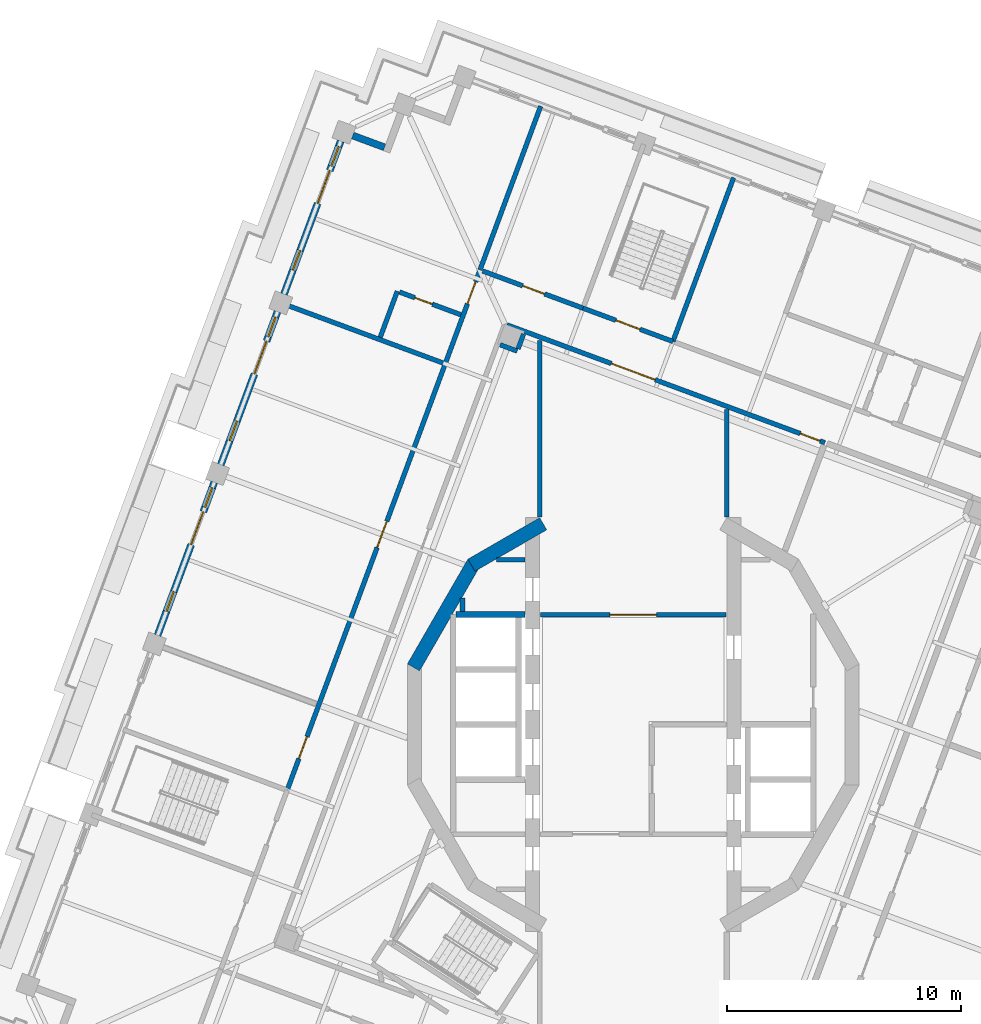
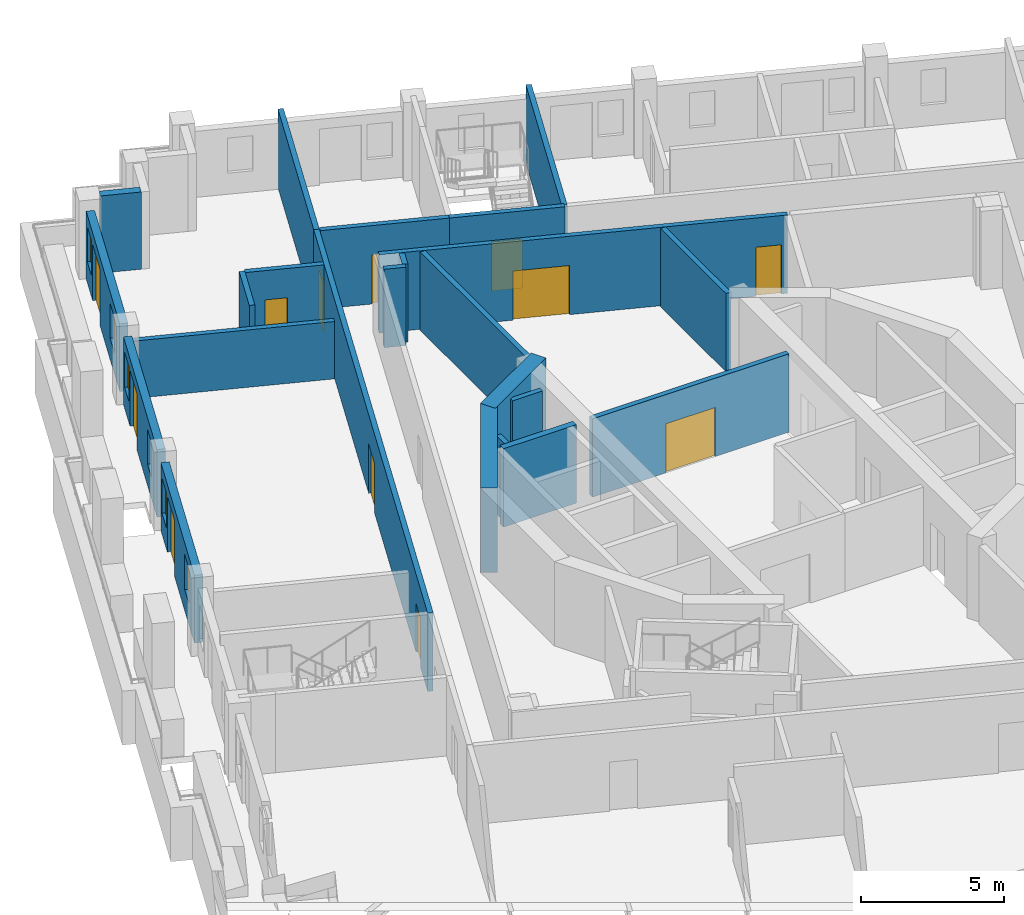
# One storey, part 7 of 18: 23 walls, 12 doors, 6 windows, 18 openings.
"""IFC4 building model written with IfcOpenShell, lengths in metres."""

from ifc_helpers import new_model, si_unit, direction, frame, frame_2d, origin, place, context, subcontext, project, spatial, rectangle, extrude, material, layer, layer_set, type_object, element, fill, save


model = new_model("IFC4")

# Units and contexts
model_context = context("Model", 3, precision=1e-05, world=origin(), true_north=direction((0.0, 1.0)))
body_context = subcontext(model_context, "Body", "Model", "MODEL_VIEW")
ifc_project = project(units=[si_unit("LENGTHUNIT", "METRE"), si_unit("AREAUNIT", "SQUARE_METRE"), si_unit("VOLUMEUNIT", "CUBIC_METRE"), si_unit("PLANEANGLEUNIT", "RADIAN"), si_unit("MASSUNIT", "GRAM", prefix="KILO")], contexts=[model_context])

# Site, building, storey
site_placement = place(None, origin())
site = spatial("IfcSite", under=ifc_project, at=site_placement, CompositionType="ELEMENT")
building_placement = place(site_placement, origin())
building = spatial("IfcBuilding", under=site, at=building_placement, Name="Cantera Rosa Tower", CompositionType="ELEMENT")
storey_placement = place(building_placement, frame((0.0, 0.0, 338.5)))
storey = spatial("IfcBuildingStorey", under=building, at=storey_placement, Name="L76", CompositionType="ELEMENT", Elevation=338.5)

# Wall, openings, doors
ifc_material_1 = material(Name="Gypsum board partition")
ifc_layer_1 = layer(ifc_material_1, 0.199951171875)
ifc_layer_set_1 = layer_set([ifc_layer_1], Name="CORRIDOR WALL 200 H3350")
wall_type_1 = type_object("IfcWallType", Name="CORRIDOR WALL 200 H3350", PredefinedType="PARTITIONING", material=ifc_layer_set_1)
wall_1_placement = place(storey_placement, frame((-6.5537109375, 19.438720703125, 0.0), z_axis=(0.0, 0.0, 1.0), x_axis=(-0.347483565428, -0.937686073138, 0.0)))
wall_1 = element("IfcWall", 1, at=wall_1_placement, inside=storey, type_object=wall_type_1, Name="CORRIDOR WALL L76-031", PredefinedType="PARTITIONING", context=body_context, shape_type="SweptSolid", body=[
    extrude(rectangle(XDim=23.730224609375, YDim=0.199951171875, at=frame_2d((11.865234375, 0.0))), origin(), (0.0, 0.0, 1.0), 3.35009765625),
])
opening_1_placement = place(wall_1_placement, frame((11.4599609375, 0.0, 0.0)))
opening_1 = element("IfcOpeningElement", 2, at=opening_1_placement, cuts=wall_1, Name="Opening L76-026", PredefinedType="OPENING", context=body_context, shape_type="SweptSolid", body=[
    extrude(rectangle(XDim=1.199951171875, YDim=2.10009765625, at=frame_2d((0.60009765625, 1.050048828125))), frame((0.0, 0.10986328125, 0.0), z_axis=(0.0, -1.0, 0.0), x_axis=(1.0, 0.0, 0.0)), (0.0, 0.0, 1.0), 0.219970703125),
])
opening_2_placement = place(wall_1_placement, frame((21.284912109375, 0.0, 0.0)))
opening_2 = element("IfcOpeningElement", 3, at=opening_2_placement, cuts=wall_1, Name="Opening L76-027", PredefinedType="OPENING", context=body_context, shape_type="SweptSolid", body=[
    extrude(rectangle(XDim=1.0, YDim=2.10009765625, at=frame_2d((0.5, 1.050048828125))), frame((0.0, 0.10986328125, 0.0), z_axis=(0.0, -1.0, 0.0), x_axis=(1.0, 0.0, 0.0)), (0.0, 0.0, 1.0), 0.219970703125),
])
opening_3_placement = place(wall_1_placement, frame((0.5400390625, 0.0, 0.0)))
opening_3 = element("IfcOpeningElement", 4, at=opening_3_placement, cuts=wall_1, Name="Opening L76-028", PredefinedType="OPENING", context=body_context, shape_type="SweptSolid", body=[
    extrude(rectangle(XDim=1.0, YDim=2.10009765625, at=frame_2d((0.5, 1.050048828125))), frame((0.0, 0.10986328125, 0.0), z_axis=(0.0, -1.0, 0.0), x_axis=(1.0, 0.0, 0.0)), (0.0, 0.0, 1.0), 0.219970703125),
])
ifc_material_2 = material(Name="Timber door leaf", Category="wood")
door_type_1 = type_object("IfcDoorType", Name="ENTRANCE DOOR 1000x2100", OperationType="NOTDEFINED", PredefinedType="DOOR", material=ifc_material_2)
door_1_placement = place(opening_3_placement, origin())
door_1 = element("IfcDoor", 5, at=door_1_placement, inside=storey, type_object=door_type_1, Name="DOOR L76-028", OperationType="NOTDEFINED", OverallHeight=2.10009765625, OverallWidth=1.0, PredefinedType="DOOR", context=body_context, shape_type="SweptSolid", body=[
    extrude(rectangle(XDim=1.0, YDim=2.10009765625, at=frame_2d((0.5, 1.050048828125))), frame((0.0, 0.02490234375, 0.0), z_axis=(0.0, -1.0, 0.0), x_axis=(1.0, 0.0, 0.0)), (0.0, 0.0, 1.0), 0.050048828125),
])
fill(opening_3, door_1)
ifc_material_3 = material(Name="Timber door leaf", Category="wood")
door_type_2 = type_object("IfcDoorType", Name="ROOM DOOR 1000x2100", OperationType="NOTDEFINED", PredefinedType="DOOR", material=ifc_material_3)
door_2_placement = place(opening_2_placement, origin())
door_2 = element("IfcDoor", 6, at=door_2_placement, inside=storey, type_object=door_type_2, Name="DOOR L76-027", OperationType="NOTDEFINED", OverallHeight=2.10009765625, OverallWidth=1.0, PredefinedType="DOOR", context=body_context, shape_type="SweptSolid", body=[
    extrude(rectangle(XDim=1.0, YDim=2.10009765625, at=frame_2d((0.5, 1.050048828125))), frame((0.0, 0.02490234375, 0.0), z_axis=(0.0, -1.0, 0.0), x_axis=(1.0, 0.0, 0.0)), (0.0, 0.0, 1.0), 0.050048828125),
])
fill(opening_2, door_2)
ifc_material_4 = material(Name="Timber door leaf", Category="wood")
door_type_3 = type_object("IfcDoorType", Name="ROOM DOOR 1200x2100", OperationType="NOTDEFINED", PredefinedType="DOOR", material=ifc_material_4)
door_3_placement = place(opening_1_placement, origin())
door_3 = element("IfcDoor", 7, at=door_3_placement, inside=storey, type_object=door_type_3, Name="DOOR L76-026", OperationType="NOTDEFINED", OverallHeight=2.10009765625, OverallWidth=1.199951171875, PredefinedType="DOOR", context=body_context, shape_type="SweptSolid", body=[
    extrude(rectangle(XDim=1.199951171875, YDim=2.10009765625, at=frame_2d((0.60009765625, 1.050048828125))), frame((0.0, 0.02490234375, 0.0), z_axis=(0.0, -1.0, 0.0), x_axis=(1.0, 0.0, 0.0)), (0.0, 0.0, 1.0), 0.050048828125),
])
fill(opening_1, door_3)

# Wall
wall_2_placement = place(storey_placement, frame((-4.0, 16.4326171875, 0.0), z_axis=(0.0, 0.0, 1.0), x_axis=(0.0, -1.0, 0.0)))
element("IfcWall", 8, at=wall_2_placement, inside=storey, type_object=wall_type_1, Name="CORRIDOR WALL L76-046", PredefinedType="PARTITIONING", context=body_context, shape_type="SweptSolid", body=[
    extrude(rectangle(XDim=7.5537109375, YDim=0.199951171875, at=frame_2d((3.77685546875, 0.0))), origin(), (0.0, 0.0, 1.0), 3.35009765625),
])

# Wall, opening, door
wall_3_placement = place(storey_placement, frame((-3.969970703125, 4.699951171875, 0.0), z_axis=(0.0, 0.0, 1.0), x_axis=(1.0, 0.0, 0.0)))
wall_3 = element("IfcWall", 9, at=wall_3_placement, inside=storey, type_object=wall_type_1, Name="CORRIDOR WALL L76-047", PredefinedType="PARTITIONING", context=body_context, shape_type="SweptSolid", body=[
    extrude(rectangle(XDim=7.93994140625, YDim=0.199951171875, at=frame_2d((3.969970703125, 0.0))), origin(), (0.0, 0.0, 1.0), 3.35009765625),
])
opening_4_placement = place(wall_3_placement, frame((2.969970703125, 0.0, 0.0)))
opening_4 = element("IfcOpeningElement", 10, at=opening_4_placement, cuts=wall_3, Name="Opening L76-010", PredefinedType="OPENING", context=body_context, shape_type="SweptSolid", body=[
    extrude(rectangle(XDim=2.0, YDim=2.10009765625, at=frame_2d((1.0, 1.050048828125))), frame((0.0, 0.10986328125, 0.0), z_axis=(0.0, -1.0, 0.0), x_axis=(1.0, 0.0, 0.0)), (0.0, 0.0, 1.0), 0.219970703125),
])
ifc_material_5 = material(Name="Steel S355J2 (EN 10025-2)", Category="steel")
door_type_4 = type_object("IfcDoorType", Name="LOBBY SCREEN DOOR 2000x2100", OperationType="NOTDEFINED", PredefinedType="DOOR", material=ifc_material_5)
door_4_placement = place(opening_4_placement, origin())
door_4 = element("IfcDoor", 11, at=door_4_placement, inside=storey, type_object=door_type_4, Name="DOOR L76-010", OperationType="NOTDEFINED", OverallHeight=2.10009765625, OverallWidth=2.0, PredefinedType="DOOR", context=body_context, shape_type="SweptSolid", body=[
    extrude(rectangle(XDim=2.0, YDim=2.10009765625, at=frame_2d((1.0, 1.050048828125))), frame((0.0, 0.02490234375, 0.0), z_axis=(0.0, -1.0, 0.0), x_axis=(1.0, 0.0, 0.0)), (0.0, 0.0, 1.0), 0.050048828125),
])
fill(opening_4, door_4)

wall_4_placement = place(storey_placement, frame((-2.146728515625, 17.805419921875, 0.0), z_axis=(0.0, 0.0, 1.0), x_axis=(-0.937682514707, 0.347493167721, 0.0)))
wall_4 = element("IfcWall", 12, at=wall_4_placement, inside=storey, type_object=wall_type_1, Name="CORRIDOR WALL L76-048", PredefinedType="PARTITIONING", context=body_context, shape_type="SweptSolid", body=[
    extrude(rectangle(XDim=4.580078125, YDim=0.199951171875, at=frame_2d((2.2900390625, 0.0))), origin(), (0.0, 0.0, 1.0), 3.35009765625),
])
opening_5_placement = place(wall_4_placement, frame((1.75, 0.0, 0.0)))
opening_5 = element("IfcOpeningElement", 13, at=opening_5_placement, cuts=wall_4, Name="Opening L76-025", PredefinedType="OPENING", context=body_context, shape_type="SweptSolid", body=[
    extrude(rectangle(XDim=1.0, YDim=2.10009765625, at=frame_2d((0.5, 1.050048828125))), frame((0.0, 0.10986328125, 0.0), z_axis=(0.0, -1.0, 0.0), x_axis=(1.0, 0.0, 0.0)), (0.0, 0.0, 1.0), 0.219970703125),
])
door_5_placement = place(opening_5_placement, origin())
door_5 = element("IfcDoor", 14, at=door_5_placement, inside=storey, type_object=door_type_2, Name="DOOR L76-025", OperationType="NOTDEFINED", OverallHeight=2.10009765625, OverallWidth=1.0, PredefinedType="DOOR", context=body_context, shape_type="SweptSolid", body=[
    extrude(rectangle(XDim=1.0, YDim=2.10009765625, at=frame_2d((0.5, 1.050048828125))), frame((0.0, 0.02490234375, 0.0), z_axis=(0.0, -1.0, 0.0), x_axis=(1.0, 0.0, 0.0)), (0.0, 0.0, 1.0), 0.050048828125),
])
fill(opening_5, door_5)

# Wall
wall_5_placement = place(storey_placement, frame((4.0, 8.87890625, 0.0), z_axis=(0.0, 0.0, 1.0), x_axis=(0.0, 1.0, 0.0)))
element("IfcWall", 15, at=wall_5_placement, inside=storey, type_object=wall_type_1, Name="CORRIDOR WALL L76-059", PredefinedType="PARTITIONING", context=body_context, shape_type="SweptSolid", body=[
    extrude(rectangle(XDim=4.589111328125, YDim=0.199951171875, at=frame_2d((2.29443359375, 0.0))), origin(), (0.0, 0.0, 1.0), 3.35009765625),
])

# Wall, openings, doors
wall_6_placement = place(storey_placement, frame((8.19873046875, 12.052001953125, 0.0), z_axis=(0.0, 0.0, 1.0), x_axis=(-0.937684564034, 0.347487637725, 0.0)))
wall_6 = element("IfcWall", 16, at=wall_6_placement, inside=storey, type_object=wall_type_1, Name="CORRIDOR WALL L76-077", PredefinedType="PARTITIONING", context=body_context, shape_type="SweptSolid", body=[
    extrude(rectangle(XDim=14.5, YDim=0.199951171875, at=frame_2d((7.25, 0.0))), origin(), (0.0, 0.0, 1.0), 3.35009765625),
])
opening_6_placement = place(wall_6_placement, frame((0.2216796875, 0.0, 0.0)))
opening_6 = element("IfcOpeningElement", 17, at=opening_6_placement, cuts=wall_6, Name="Opening L76-008", PredefinedType="OPENING", context=body_context, shape_type="SweptSolid", body=[
    extrude(rectangle(XDim=0.89990234375, YDim=2.10009765625, at=frame_2d((0.449951171875, 1.050048828125))), frame((0.0, 0.10986328125, 0.0), z_axis=(0.0, -1.0, 0.0), x_axis=(1.0, 0.0, 0.0)), (0.0, 0.0, 1.0), 0.219970703125),
])
opening_7_placement = place(wall_6_placement, frame((7.74365234375, 0.0, 0.0)))
opening_7 = element("IfcOpeningElement", 18, at=opening_7_placement, cuts=wall_6, Name="Opening L76-009", PredefinedType="OPENING", context=body_context, shape_type="SweptSolid", body=[
    extrude(rectangle(XDim=2.0, YDim=2.10009765625, at=frame_2d((1.0, 1.050048828125))), frame((0.0, 0.10986328125, 0.0), z_axis=(0.0, -1.0, 0.0), x_axis=(1.0, 0.0, 0.0)), (0.0, 0.0, 1.0), 0.219970703125),
])
door_6_placement = place(opening_7_placement, origin())
door_6 = element("IfcDoor", 19, at=door_6_placement, inside=storey, type_object=door_type_4, Name="DOOR L76-009", OperationType="NOTDEFINED", OverallHeight=2.10009765625, OverallWidth=2.0, PredefinedType="DOOR", context=body_context, shape_type="SweptSolid", body=[
    extrude(rectangle(XDim=2.0, YDim=2.10009765625, at=frame_2d((1.0, 1.050048828125))), frame((0.0, 0.02490234375, 0.0), z_axis=(0.0, -1.0, 0.0), x_axis=(1.0, 0.0, 0.0)), (0.0, 0.0, 1.0), 0.050048828125),
])
fill(opening_7, door_6)
ifc_material_6 = material(Name="Timber door leaf", Category="wood")
door_type_5 = type_object("IfcDoorType", Name="SERVICE DOOR 900x2100", OperationType="NOTDEFINED", PredefinedType="DOOR", material=ifc_material_6)
door_7_placement = place(opening_6_placement, origin())
door_7 = element("IfcDoor", 20, at=door_7_placement, inside=storey, type_object=door_type_5, Name="DOOR L76-008", OperationType="NOTDEFINED", OverallHeight=2.10009765625, OverallWidth=0.89990234375, PredefinedType="DOOR", context=body_context, shape_type="SweptSolid", body=[
    extrude(rectangle(XDim=0.89990234375, YDim=2.10009765625, at=frame_2d((0.449951171875, 1.050048828125))), frame((0.0, 0.02490234375, 0.0), z_axis=(0.0, -1.0, 0.0), x_axis=(1.0, 0.0, 0.0)), (0.0, 0.0, 1.0), 0.050048828125),
])
fill(opening_6, door_7)

# Wall
ifc_material_7 = material(Name="Hollow clay masonry with cantera stone cladding", Category="masonry")
ifc_layer_2 = layer(ifc_material_7, 0.300048828125)
ifc_layer_set_2 = layer_set([ifc_layer_2], Name="EW-LOGGIA 300")
wall_type_2 = type_object("IfcWallType", Name="EW-LOGGIA 300", PredefinedType="SOLIDWALL", material=ifc_layer_set_2)
wall_7_placement = place(storey_placement, frame((-10.635498046875, 24.683837890625, 0.0), z_axis=(0.0, 0.0, 1.0), x_axis=(-0.937671557958, 0.347522732201, 0.0)))
element("IfcWall", 21, at=wall_7_placement, inside=storey, type_object=wall_type_2, Name="EN-L76-W06b", PredefinedType="SOLIDWALL", context=body_context, shape_type="SweptSolid", body=[
    extrude(rectangle(XDim=1.449951171875, YDim=0.300048828125, at=frame_2d((0.72509765625, 0.0))), origin(), (0.0, 0.0, 1.0), 3.300048828125),
])

# Wall, openings, windows, door
ifc_material_8 = material(Name="Hollow clay masonry with cantera stone cladding", Category="masonry")
ifc_layer_3 = layer(ifc_material_8, 0.300048828125)
ifc_layer_set_3 = layer_set([ifc_layer_3], Name="EW-LOGGIA 300 H2890")
wall_type_3 = type_object("IfcWallType", Name="EW-LOGGIA 300 H2890", PredefinedType="SOLIDWALL", material=ifc_layer_set_3)
wall_8_placement = place(storey_placement, frame((-12.50927734375, 24.95166015625, 0.0), z_axis=(0.0, 0.0, 1.0), x_axis=(-0.347490919506, -0.937683347864, 0.0)))
wall_8 = element("IfcWall", 22, at=wall_8_placement, inside=storey, type_object=wall_type_3, Name="EN-L76-W07", PredefinedType="SOLIDWALL", context=body_context, shape_type="SweptSolid", body=[
    extrude(rectangle(XDim=6.980224609375, YDim=0.300048828125, at=frame_2d((3.490234375, 0.0))), origin(), (0.0, 0.0, 1.0), 2.889892578125),
])
opening_8_placement = place(wall_8_placement, frame((0.2451171875, 0.0, 0.89990234375)))
opening_8 = element("IfcOpeningElement", 23, at=opening_8_placement, cuts=wall_8, Name="Opening L76-W13", PredefinedType="OPENING", context=body_context, shape_type="SweptSolid", body=[
    extrude(rectangle(XDim=0.89990234375, YDim=1.5, at=frame_2d((0.449951171875, 0.75))), frame((0.0, 0.159912109375, 0.0), z_axis=(0.0, -1.0, 0.0), x_axis=(1.0, 0.0, 0.0)), (0.0, 0.0, 1.0), 0.320068359375),
])
opening_9_placement = place(wall_8_placement, frame((1.344970703125, 0.0, 0.0)))
opening_9 = element("IfcOpeningElement", 24, at=opening_9_placement, cuts=wall_8, Name="Opening L76-TD14", PredefinedType="OPENING", context=body_context, shape_type="SweptSolid", body=[
    extrude(rectangle(XDim=1.5, YDim=2.39990234375, at=frame_2d((0.75, 1.199951171875))), frame((0.0, 0.159912109375, 0.0), z_axis=(0.0, -1.0, 0.0), x_axis=(1.0, 0.0, 0.0)), (0.0, 0.0, 1.0), 0.320068359375),
])
opening_10_placement = place(wall_8_placement, frame((4.985107421875, 0.0, 0.89990234375)))
opening_10 = element("IfcOpeningElement", 25, at=opening_10_placement, cuts=wall_8, Name="Opening L76-W15", PredefinedType="OPENING", context=body_context, shape_type="SweptSolid", body=[
    extrude(rectangle(XDim=0.89990234375, YDim=1.5, at=frame_2d((0.449951171875, 0.75))), frame((0.0, 0.159912109375, 0.0), z_axis=(0.0, -1.0, 0.0), x_axis=(1.0, 0.0, 0.0)), (0.0, 0.0, 1.0), 0.320068359375),
])
ifc_material_9 = material(Name="Aluminium frame with clear glass", Category="aluminium")
window_type = type_object("IfcWindowType", Name="Residential window 900x1500", PartitioningType="SINGLE_PANEL", PredefinedType="WINDOW", material=ifc_material_9)
window_1_placement = place(opening_8_placement, origin())
window_1 = element("IfcWindow", 26, at=window_1_placement, inside=storey, type_object=window_type, Name="WINDOW L76-W13", OverallHeight=1.5, OverallWidth=0.89990234375, PartitioningType="SINGLE_PANEL", PredefinedType="WINDOW", context=body_context, shape_type="SweptSolid", body=[
    extrude(rectangle(XDim=0.89990234375, YDim=1.5, at=frame_2d((0.449951171875, 0.75))), frame((0.0, 0.030029296875, 0.0), z_axis=(0.0, -1.0, 0.0), x_axis=(1.0, 0.0, 0.0)), (0.0, 0.0, 1.0), 0.06005859375),
])
fill(opening_8, window_1)
window_2_placement = place(opening_10_placement, origin())
window_2 = element("IfcWindow", 27, at=window_2_placement, inside=storey, type_object=window_type, Name="WINDOW L76-W15", OverallHeight=1.5, OverallWidth=0.89990234375, PartitioningType="SINGLE_PANEL", PredefinedType="WINDOW", context=body_context, shape_type="SweptSolid", body=[
    extrude(rectangle(XDim=0.89990234375, YDim=1.5, at=frame_2d((0.449951171875, 0.75))), frame((0.0, 0.030029296875, 0.0), z_axis=(0.0, -1.0, 0.0), x_axis=(1.0, 0.0, 0.0)), (0.0, 0.0, 1.0), 0.06005859375),
])
fill(opening_10, window_2)
ifc_material_10 = material(Name="Aluminium frame with clear glass", Category="aluminium")
door_type_6 = type_object("IfcDoorType", Name="TD-R 1500x2400", OperationType="NOTDEFINED", PredefinedType="DOOR", material=ifc_material_10)
door_8_placement = place(opening_9_placement, origin())
door_8 = element("IfcDoor", 28, at=door_8_placement, inside=storey, type_object=door_type_6, Name="LOGGIA DOOR L76-TD14", OperationType="SLIDING_TO_LEFT", OverallHeight=2.39990234375, OverallWidth=1.5, PredefinedType="DOOR", context=body_context, shape_type="SweptSolid", body=[
    extrude(rectangle(XDim=1.5, YDim=2.39990234375, at=frame_2d((0.75, 1.199951171875))), frame((0.0, 0.02490234375, 0.0), z_axis=(0.0, -1.0, 0.0), x_axis=(1.0, 0.0, 0.0)), (0.0, 0.0, 1.0), 0.050048828125),
])
fill(opening_9, door_8)

wall_9_placement = place(storey_placement, frame((-15.212646484375, 17.65625, 0.0), z_axis=(0.0, 0.0, 1.0), x_axis=(-0.347502316452, -0.937679124253, 0.0)))
wall_9 = element("IfcWall", 29, at=wall_9_placement, inside=storey, type_object=wall_type_3, Name="EN-L76-W08", PredefinedType="SOLIDWALL", context=body_context, shape_type="SweptSolid", body=[
    extrude(rectangle(XDim=6.97998046875, YDim=0.300048828125, at=frame_2d((3.489990234375, 0.0))), origin(), (0.0, 0.0, 1.0), 2.889892578125),
])
opening_11_placement = place(wall_9_placement, frame((0.2451171875, 0.0, 0.89990234375)))
opening_11 = element("IfcOpeningElement", 30, at=opening_11_placement, cuts=wall_9, Name="Opening L76-W16", PredefinedType="OPENING", context=body_context, shape_type="SweptSolid", body=[
    extrude(rectangle(XDim=0.89990234375, YDim=1.5, at=frame_2d((0.449951171875, 0.75))), frame((0.0, 0.159912109375, 0.0), z_axis=(0.0, -1.0, 0.0), x_axis=(1.0, 0.0, 0.0)), (0.0, 0.0, 1.0), 0.320068359375),
])
opening_12_placement = place(wall_9_placement, frame((1.344970703125, 0.0, 0.0)))
opening_12 = element("IfcOpeningElement", 31, at=opening_12_placement, cuts=wall_9, Name="Opening L76-TD17", PredefinedType="OPENING", context=body_context, shape_type="SweptSolid", body=[
    extrude(rectangle(XDim=1.5, YDim=2.39990234375, at=frame_2d((0.75, 1.199951171875))), frame((0.0, 0.159912109375, 0.0), z_axis=(0.0, -1.0, 0.0), x_axis=(1.0, 0.0, 0.0)), (0.0, 0.0, 1.0), 0.320068359375),
])
opening_13_placement = place(wall_9_placement, frame((4.985107421875, 0.0, 0.89990234375)))
opening_13 = element("IfcOpeningElement", 32, at=opening_13_placement, cuts=wall_9, Name="Opening L76-W18", PredefinedType="OPENING", context=body_context, shape_type="SweptSolid", body=[
    extrude(rectangle(XDim=0.89990234375, YDim=1.5, at=frame_2d((0.449951171875, 0.75))), frame((0.0, 0.159912109375, 0.0), z_axis=(0.0, -1.0, 0.0), x_axis=(1.0, 0.0, 0.0)), (0.0, 0.0, 1.0), 0.320068359375),
])
window_3_placement = place(opening_11_placement, origin())
window_3 = element("IfcWindow", 33, at=window_3_placement, inside=storey, type_object=window_type, Name="WINDOW L76-W16", OverallHeight=1.5, OverallWidth=0.89990234375, PartitioningType="SINGLE_PANEL", PredefinedType="WINDOW", context=body_context, shape_type="SweptSolid", body=[
    extrude(rectangle(XDim=0.89990234375, YDim=1.5, at=frame_2d((0.449951171875, 0.75))), frame((0.0, 0.030029296875, 0.0), z_axis=(0.0, -1.0, 0.0), x_axis=(1.0, 0.0, 0.0)), (0.0, 0.0, 1.0), 0.06005859375),
])
fill(opening_11, window_3)
window_4_placement = place(opening_13_placement, origin())
window_4 = element("IfcWindow", 34, at=window_4_placement, inside=storey, type_object=window_type, Name="WINDOW L76-W18", OverallHeight=1.5, OverallWidth=0.89990234375, PartitioningType="SINGLE_PANEL", PredefinedType="WINDOW", context=body_context, shape_type="SweptSolid", body=[
    extrude(rectangle(XDim=0.89990234375, YDim=1.5, at=frame_2d((0.449951171875, 0.75))), frame((0.0, 0.030029296875, 0.0), z_axis=(0.0, -1.0, 0.0), x_axis=(1.0, 0.0, 0.0)), (0.0, 0.0, 1.0), 0.06005859375),
])
fill(opening_13, window_4)
door_9_placement = place(opening_12_placement, origin())
door_9 = element("IfcDoor", 35, at=door_9_placement, inside=storey, type_object=door_type_6, Name="LOGGIA DOOR L76-TD17", OperationType="SLIDING_TO_LEFT", OverallHeight=2.39990234375, OverallWidth=1.5, PredefinedType="DOOR", context=body_context, shape_type="SweptSolid", body=[
    extrude(rectangle(XDim=1.5, YDim=2.39990234375, at=frame_2d((0.75, 1.199951171875))), frame((0.0, 0.02490234375, 0.0), z_axis=(0.0, -1.0, 0.0), x_axis=(1.0, 0.0, 0.0)), (0.0, 0.0, 1.0), 0.050048828125),
])
fill(opening_12, door_9)

wall_10_placement = place(storey_placement, frame((-17.916015625, 10.361083984375, 0.0), z_axis=(0.0, 0.0, 1.0), x_axis=(-0.347502316452, -0.937679124253, 0.0)))
wall_10 = element("IfcWall", 36, at=wall_10_placement, inside=storey, type_object=wall_type_3, Name="EN-L76-W09", PredefinedType="SOLIDWALL", context=body_context, shape_type="SweptSolid", body=[
    extrude(rectangle(XDim=6.97998046875, YDim=0.300048828125, at=frame_2d((3.489990234375, 0.0))), origin(), (0.0, 0.0, 1.0), 2.889892578125),
])
opening_14_placement = place(wall_10_placement, frame((0.2451171875, 0.0, 0.89990234375)))
opening_14 = element("IfcOpeningElement", 37, at=opening_14_placement, cuts=wall_10, Name="Opening L76-W19", PredefinedType="OPENING", context=body_context, shape_type="SweptSolid", body=[
    extrude(rectangle(XDim=0.89990234375, YDim=1.5, at=frame_2d((0.449951171875, 0.75))), frame((0.0, 0.159912109375, 0.0), z_axis=(0.0, -1.0, 0.0), x_axis=(1.0, 0.0, 0.0)), (0.0, 0.0, 1.0), 0.320068359375),
])
opening_15_placement = place(wall_10_placement, frame((1.344970703125, 0.0, 0.0)))
opening_15 = element("IfcOpeningElement", 38, at=opening_15_placement, cuts=wall_10, Name="Opening L76-TD20", PredefinedType="OPENING", context=body_context, shape_type="SweptSolid", body=[
    extrude(rectangle(XDim=1.5, YDim=2.39990234375, at=frame_2d((0.75, 1.199951171875))), frame((0.0, 0.159912109375, 0.0), z_axis=(0.0, -1.0, 0.0), x_axis=(1.0, 0.0, 0.0)), (0.0, 0.0, 1.0), 0.320068359375),
])
opening_16_placement = place(wall_10_placement, frame((4.985107421875, 0.0, 0.89990234375)))
opening_16 = element("IfcOpeningElement", 39, at=opening_16_placement, cuts=wall_10, Name="Opening L76-W21", PredefinedType="OPENING", context=body_context, shape_type="SweptSolid", body=[
    extrude(rectangle(XDim=0.89990234375, YDim=1.5, at=frame_2d((0.449951171875, 0.75))), frame((0.0, 0.159912109375, 0.0), z_axis=(0.0, -1.0, 0.0), x_axis=(1.0, 0.0, 0.0)), (0.0, 0.0, 1.0), 0.320068359375),
])
window_5_placement = place(opening_14_placement, origin())
window_5 = element("IfcWindow", 40, at=window_5_placement, inside=storey, type_object=window_type, Name="WINDOW L76-W19", OverallHeight=1.5, OverallWidth=0.89990234375, PartitioningType="SINGLE_PANEL", PredefinedType="WINDOW", context=body_context, shape_type="SweptSolid", body=[
    extrude(rectangle(XDim=0.89990234375, YDim=1.5, at=frame_2d((0.449951171875, 0.75))), frame((0.0, 0.030029296875, 0.0), z_axis=(0.0, -1.0, 0.0), x_axis=(1.0, 0.0, 0.0)), (0.0, 0.0, 1.0), 0.06005859375),
])
fill(opening_14, window_5)
window_6_placement = place(opening_16_placement, origin())
window_6 = element("IfcWindow", 41, at=window_6_placement, inside=storey, type_object=window_type, Name="WINDOW L76-W21", OverallHeight=1.5, OverallWidth=0.89990234375, PartitioningType="SINGLE_PANEL", PredefinedType="WINDOW", context=body_context, shape_type="SweptSolid", body=[
    extrude(rectangle(XDim=0.89990234375, YDim=1.5, at=frame_2d((0.449951171875, 0.75))), frame((0.0, 0.030029296875, 0.0), z_axis=(0.0, -1.0, 0.0), x_axis=(1.0, 0.0, 0.0)), (0.0, 0.0, 1.0), 0.06005859375),
])
fill(opening_16, window_6)
door_10_placement = place(opening_15_placement, origin())
door_10 = element("IfcDoor", 42, at=door_10_placement, inside=storey, type_object=door_type_6, Name="LOGGIA DOOR L76-TD20", OperationType="SLIDING_TO_LEFT", OverallHeight=2.39990234375, OverallWidth=1.5, PredefinedType="DOOR", context=body_context, shape_type="SweptSolid", body=[
    extrude(rectangle(XDim=1.5, YDim=2.39990234375, at=frame_2d((0.75, 1.199951171875))), frame((0.0, 0.02490234375, 0.0), z_axis=(0.0, -1.0, 0.0), x_axis=(1.0, 0.0, 0.0)), (0.0, 0.0, 1.0), 0.050048828125),
])
fill(opening_15, door_10)

# Wall
ifc_material_11 = material(Name="Gypsum board partition")
ifc_layer_4 = layer(ifc_material_11, 0.199951171875)
ifc_layer_set_4 = layer_set([ifc_layer_4], Name="PARTITION 200 H3350")
wall_type_4 = type_object("IfcWallType", Name="PARTITION 200 H3350", PredefinedType="PARTITIONING", material=ifc_layer_set_4)
wall_11_placement = place(storey_placement, frame((-10.8193359375, 16.5615234375, 0.0), z_axis=(0.0, 0.0, 1.0), x_axis=(0.34747715945, 0.937688447013, 0.0)))
element("IfcWall", 43, at=wall_11_placement, inside=storey, type_object=wall_type_4, Name="PARTITION L76-015", PredefinedType="PARTITIONING", context=body_context, shape_type="SweptSolid", body=[
    extrude(rectangle(XDim=2.10009765625, YDim=0.199951171875, at=frame_2d((1.050048828125, 0.0))), origin(), (0.0, 0.0, 1.0), 3.35009765625),
])

# Wall, opening, door
wall_12_placement = place(storey_placement, frame((-9.995849609375, 18.495849609375, 0.0), z_axis=(0.0, 0.0, 1.0), x_axis=(0.937690898453, -0.347470544015, 0.0)))
wall_12 = element("IfcWall", 44, at=wall_12_placement, inside=storey, type_object=wall_type_4, Name="PARTITION L76-021", PredefinedType="PARTITIONING", context=body_context, shape_type="SweptSolid", body=[
    extrude(rectangle(XDim=2.800048828125, YDim=0.199951171875, at=frame_2d((1.39990234375, 0.0))), origin(), (0.0, 0.0, 1.0), 3.35009765625),
])
opening_17_placement = place(wall_12_placement, frame((0.699951171875, 0.0, 0.0)))
opening_17 = element("IfcOpeningElement", 45, at=opening_17_placement, cuts=wall_12, Name="Opening L76-029", PredefinedType="OPENING", context=body_context, shape_type="SweptSolid", body=[
    extrude(rectangle(XDim=0.800048828125, YDim=2.10009765625, at=frame_2d((0.39990234375, 1.050048828125))), frame((0.0, 0.10986328125, 0.0), z_axis=(0.0, -1.0, 0.0), x_axis=(1.0, 0.0, 0.0)), (0.0, 0.0, 1.0), 0.219970703125),
])
ifc_material_12 = material(Name="Timber door leaf", Category="wood")
door_type_7 = type_object("IfcDoorType", Name="BATHROOM DOOR 800x2100", OperationType="NOTDEFINED", PredefinedType="DOOR", material=ifc_material_12)
door_11_placement = place(opening_17_placement, origin())
door_11 = element("IfcDoor", 46, at=door_11_placement, inside=storey, type_object=door_type_7, Name="DOOR L76-029", OperationType="NOTDEFINED", OverallHeight=2.10009765625, OverallWidth=0.800048828125, PredefinedType="DOOR", context=body_context, shape_type="SweptSolid", body=[
    extrude(rectangle(XDim=0.800048828125, YDim=2.10009765625, at=frame_2d((0.39990234375, 1.050048828125))), frame((0.0, 0.02490234375, 0.0), z_axis=(0.0, -1.0, 0.0), x_axis=(1.0, 0.0, 0.0)), (0.0, 0.0, 1.0), 0.050048828125),
])
fill(opening_17, door_11)

# Walls
wall_13_placement = place(storey_placement, frame((-7.300048828125, 4.824951171875, 0.0), z_axis=(0.0, 0.0, 1.0), x_axis=(0.0, 1.0, 0.0)))
element("IfcWall", 47, at=wall_13_placement, inside=storey, type_object=wall_type_4, Name="PARTITION L76-030", PredefinedType="PARTITIONING", context=body_context, shape_type="SweptSolid", body=[
    extrude(rectangle(XDim=0.589599609375, YDim=0.199951171875, at=frame_2d((0.294921875, 0.0))), origin(), (0.0, 0.0, 1.0), 3.35009765625),
])
wall_14_placement = place(storey_placement, frame((-5.84765625, 7.050048828125, 0.0), z_axis=(0.0, 0.0, 1.0), x_axis=(1.0, 0.0, 0.0)))
element("IfcWall", 48, at=wall_14_placement, inside=storey, type_object=wall_type_4, Name="PARTITION L76-034", PredefinedType="PARTITIONING", context=body_context, shape_type="SweptSolid", body=[
    extrude(rectangle(XDim=1.2177734375, YDim=0.199951171875, at=frame_2d((0.60888671875, 0.0))), origin(), (0.0, 0.0, 1.0), 3.35009765625),
])
wall_15_placement = place(storey_placement, frame((-5.691650390625, 16.23974609375, 0.0), z_axis=(0.0, 0.0, 1.0), x_axis=(0.93771100034, -0.347416291848, 0.0)))
element("IfcWall", 49, at=wall_15_placement, inside=storey, type_object=wall_type_4, Name="PARTITION L76-035", PredefinedType="PARTITIONING", context=body_context, shape_type="SweptSolid", body=[
    extrude(rectangle(XDim=0.780029296875, YDim=0.199951171875, at=frame_2d((0.39013671875, 0.0))), origin(), (0.0, 0.0, 1.0), 3.35009765625),
])
wall_16_placement = place(storey_placement, frame((-4.925537109375, 16.0625, 0.0), z_axis=(0.0, 0.0, 1.0), x_axis=(0.347501421626, 0.937679455874, 0.0)))
element("IfcWall", 50, at=wall_16_placement, inside=storey, type_object=wall_type_4, Name="PARTITION L76-040", PredefinedType="PARTITIONING", context=body_context, shape_type="SweptSolid", body=[
    extrude(rectangle(XDim=0.68017578125, YDim=0.199951171875, at=frame_2d((0.340087890625, 0.0))), origin(), (0.0, 0.0, 1.0), 3.35009765625),
])
ifc_material_13 = material(Name="Gypsum board partition")
ifc_layer_5 = layer(ifc_material_13, 0.199951171875)
ifc_layer_set_5 = layer_set([ifc_layer_5], Name="PARTY WALL 200 H2450")
wall_type_5 = type_object("IfcWallType", Name="PARTY WALL 200 H2450", PredefinedType="PARTITIONING", material=ifc_layer_set_5)
wall_17_placement = place(storey_placement, frame((-15.045654296875, 18.02099609375, 0.0), z_axis=(0.0, 0.0, 1.0), x_axis=(0.937695604411, -0.347457844161, 0.0)))
element("IfcWall", 51, at=wall_17_placement, inside=storey, type_object=wall_type_5, Name="PARTY WALL L76-007", PredefinedType="PARTITIONING", context=body_context, shape_type="SweptSolid", body=[
    extrude(rectangle(XDim=7.3701171875, YDim=0.199951171875, at=frame_2d((3.68505859375, 0.0))), origin(), (0.0, 0.0, 1.0), 2.449951171875),
])
ifc_material_14 = material(Name="Gypsum board partition")
ifc_layer_6 = layer(ifc_material_14, 0.199951171875)
ifc_layer_set_6 = layer_set([ifc_layer_6], Name="PARTY WALL 200 H3350")
wall_type_6 = type_object("IfcWallType", Name="PARTY WALL 200 H3350", PredefinedType="PARTITIONING", material=ifc_layer_set_6)
wall_18_placement = place(storey_placement, frame((-6.5537109375, 19.438720703125, 0.0), z_axis=(0.0, 0.0, 1.0), x_axis=(0.347460186276, 0.93769473655, 0.0)))
element("IfcWall", 52, at=wall_18_placement, inside=storey, type_object=wall_type_6, Name="PARTY WALL L76-032", PredefinedType="PARTITIONING", context=body_context, shape_type="SweptSolid", body=[
    extrude(rectangle(XDim=7.4697265625, YDim=0.199951171875, at=frame_2d((3.73486328125, 0.0))), origin(), (0.0, 0.0, 1.0), 3.35009765625),
])
ifc_material_15 = material(Name="Concrete C50/60", Category="concrete")
ifc_layer_7 = layer(ifc_material_15, 0.60009765625)
ifc_layer_set_7 = layer_set([ifc_layer_7], Name="RC CORE WALL 600 C50/60")
wall_type_7 = type_object("IfcWallType", Name="RC CORE WALL 600 C50/60", PredefinedType="SHEAR", material=ifc_layer_set_7)
wall_19_placement = place(storey_placement, frame((-9.3994140625, 2.438232421875, 0.0), z_axis=(0.0, 0.0, 1.0), x_axis=(0.499989188378, 0.866031645787, 0.0)))
element("IfcWall", 53, at=wall_19_placement, inside=storey, type_object=wall_type_7, Name="CW-W4 L76", PredefinedType="SHEAR", context=body_context, shape_type="SweptSolid", body=[
    extrude(rectangle(XDim=5.17626953125, YDim=0.60009765625, at=frame_2d((2.588134765625, 0.0))), origin(), (0.0, 0.0, 1.0), 3.60009765625),
])
wall_20_placement = place(storey_placement, frame((-6.921142578125, 6.811279296875, 0.0), z_axis=(0.0, 0.0, 1.0), x_axis=(0.866039982607, 0.499974747889, 0.0)))
element("IfcWall", 54, at=wall_20_placement, inside=storey, type_object=wall_type_7, Name="CW-W5 L76", PredefinedType="SHEAR", context=body_context, shape_type="SweptSolid", body=[
    extrude(rectangle(XDim=3.546142578125, YDim=0.60009765625, at=frame_2d((1.77294921875, 0.0))), origin(), (0.0, 0.0, 1.0), 3.60009765625),
])
ifc_material_16 = material(Name="Masonry blockwork", Category="masonry")
ifc_layer_8 = layer(ifc_material_16, 0.25)
ifc_layer_set_8 = layer_set([ifc_layer_8], Name="SHAFT WALL 250 H3350")
wall_type_8 = type_object("IfcWallType", Name="SHAFT WALL 250 H3350", PredefinedType="SOLIDWALL", material=ifc_layer_set_8)
wall_21_placement = place(storey_placement, frame((-7.580078125, 4.699951171875, 0.0), z_axis=(0.0, 0.0, 1.0), x_axis=(1.0, 0.0, 0.0)))
element("IfcWall", 55, at=wall_21_placement, inside=storey, type_object=wall_type_8, Name="SHAFT WALL L76-029", PredefinedType="SOLIDWALL", context=body_context, shape_type="SweptSolid", body=[
    extrude(rectangle(XDim=2.9501953125, YDim=0.25, at=frame_2d((1.47509765625, 0.0))), origin(), (0.0, 0.0, 1.0), 3.35009765625),
])

# Wall, opening, door
ifc_material_17 = material(Name="Concrete C50/60", Category="concrete")
ifc_layer_9 = layer(ifc_material_17, 0.199951171875)
ifc_layer_set_9 = layer_set([ifc_layer_9], Name="STAIR WALL 200 H3350")
wall_type_9 = type_object("IfcWallType", Name="STAIR WALL 200 H3350", PredefinedType="SOLIDWALL", material=ifc_layer_set_9)
wall_22_placement = place(storey_placement, frame((-2.146728515625, 17.805419921875, 0.0), z_axis=(0.0, 0.0, 1.0), x_axis=(0.937694876531, -0.347459808507, 0.0)))
wall_22 = element("IfcWall", 56, at=wall_22_placement, inside=storey, type_object=wall_type_9, Name="STAIR WALL L76-049", PredefinedType="SOLIDWALL", context=body_context, shape_type="SweptSolid", body=[
    extrude(rectangle(XDim=4.099853515625, YDim=0.199951171875, at=frame_2d((2.0498046875, 0.0))), origin(), (0.0, 0.0, 1.0), 3.35009765625),
])
opening_18_placement = place(wall_22_placement, frame((1.5, 0.0, 0.0)))
opening_18 = element("IfcOpeningElement", 57, at=opening_18_placement, cuts=wall_22, Name="Opening L76-002", PredefinedType="OPENING", context=body_context, shape_type="SweptSolid", body=[
    extrude(rectangle(XDim=1.10009765625, YDim=2.10009765625, at=frame_2d((0.550048828125, 1.050048828125))), frame((0.0, 0.10986328125, 0.0), z_axis=(0.0, -1.0, 0.0), x_axis=(1.0, 0.0, 0.0)), (0.0, 0.0, 1.0), 0.219970703125),
])
ifc_material_18 = material(Name="Steel S355J2 (EN 10025-2)", Category="steel")
door_type_8 = type_object("IfcDoorType", Name="STAIR DOOR 1100x2100", OperationType="NOTDEFINED", PredefinedType="DOOR", material=ifc_material_18)
door_12_placement = place(opening_18_placement, origin())
door_12 = element("IfcDoor", 58, at=door_12_placement, inside=storey, type_object=door_type_8, Name="DOOR L76-002", OperationType="NOTDEFINED", OverallHeight=2.10009765625, OverallWidth=1.10009765625, PredefinedType="DOOR", context=body_context, shape_type="SweptSolid", body=[
    extrude(rectangle(XDim=1.10009765625, YDim=2.10009765625, at=frame_2d((0.550048828125, 1.050048828125))), frame((0.0, 0.02490234375, 0.0), z_axis=(0.0, -1.0, 0.0), x_axis=(1.0, 0.0, 0.0)), (0.0, 0.0, 1.0), 0.050048828125),
])
fill(opening_18, door_12)

# Wall
wall_23_placement = place(storey_placement, frame((1.69775390625, 16.380859375, 0.0), z_axis=(0.0, 0.0, 1.0), x_axis=(0.347488923611, 0.937684087509, 0.0)))
element("IfcWall", 59, at=wall_23_placement, inside=storey, type_object=wall_type_9, Name="STAIR WALL L76-054", PredefinedType="SOLIDWALL", context=body_context, shape_type="SweptSolid", body=[
    extrude(rectangle(XDim=7.469970703125, YDim=0.199951171875, at=frame_2d((3.73486328125, 0.0))), origin(), (0.0, 0.0, 1.0), 3.35009765625),
])

save(model, "model.ifc")
